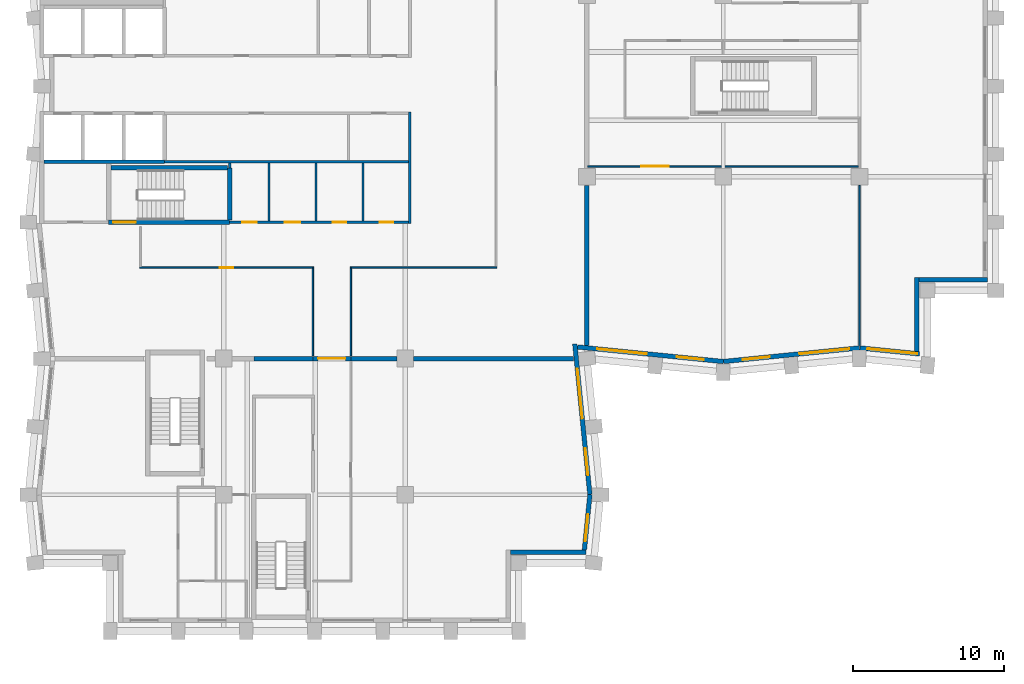
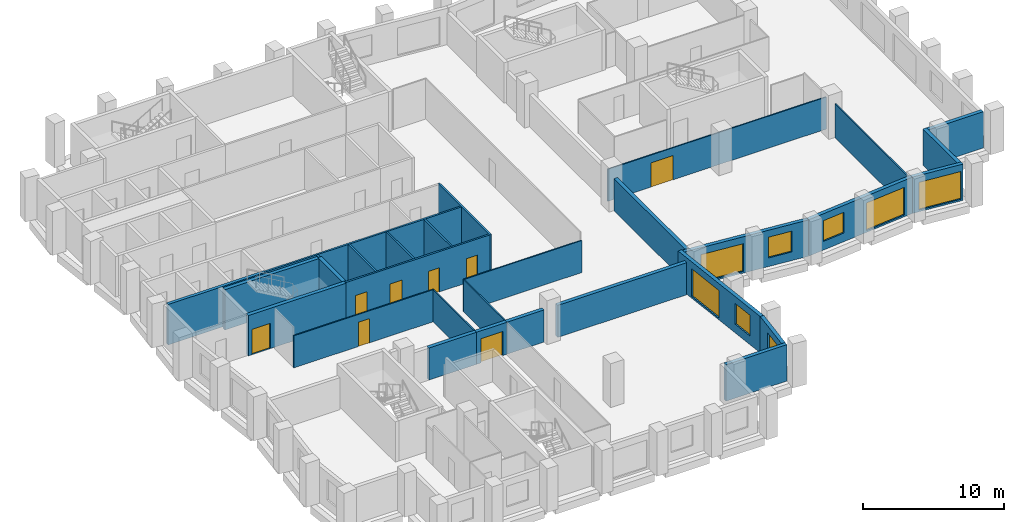
# One storey, part 4 of 10: 30 walls, 8 doors, 8 windows, 16 openings.
"""IFC4 building model written with IfcOpenShell, lengths in metres."""

from ifc_helpers import new_model, si_unit, direction, frame, frame_2d, origin, place, context, subcontext, project, spatial, rectangle, extrude, material, layer, layer_set, type_object, element, fill, save


model = new_model("IFC4")

# Units and contexts
model_context = context("Model", 3, precision=1e-05, world=origin(), true_north=direction((0.0, 1.0)))
body_context = subcontext(model_context, "Body", "Model", "MODEL_VIEW")
ifc_project = project(units=[si_unit("LENGTHUNIT", "METRE"), si_unit("AREAUNIT", "SQUARE_METRE"), si_unit("VOLUMEUNIT", "CUBIC_METRE"), si_unit("PLANEANGLEUNIT", "RADIAN"), si_unit("MASSUNIT", "GRAM", prefix="KILO")], contexts=[model_context])

# Site, building, storey
site_placement = place(None, origin())
site = spatial("IfcSite", under=ifc_project, at=site_placement, CompositionType="ELEMENT")
building_placement = place(site_placement, origin())
building = spatial("IfcBuilding", under=site, at=building_placement, Name="Brondeck Convention Tower", CompositionType="ELEMENT")
storey_placement = place(building_placement, frame((0.0, 0.0, 177.60009765625)))
storey = spatial("IfcBuildingStorey", under=building, at=storey_placement, Name="L43", CompositionType="ELEMENT", Elevation=177.60009765625)

# Wall
ifc_material_1 = material(Name="Concrete compartment wall C30/37", Category="concrete")
ifc_layer_1 = layer(ifc_material_1, 0.300048828125)
ifc_layer_set_1 = layer_set([ifc_layer_1], Name="Compartment wall 300")
wall_type_1 = type_object("IfcWallType", Name="Compartment wall 300", PredefinedType="PARTITIONING", material=ifc_layer_set_1)
wall_1_placement = place(storey_placement, frame((14.0, 27.0, 0.0), z_axis=(0.0, 0.0, 1.0), x_axis=(1.0, 0.0, 0.0)))
element("IfcWall", 1, at=wall_1_placement, inside=storey, type_object=wall_type_1, Name="FLR-L43-W020", PredefinedType="PARTITIONING", context=body_context, shape_type="SweptSolid", body=[
    extrude(rectangle(XDim=3.89990234375, YDim=0.300048828125, at=frame_2d((1.949951171875, 0.0))), origin(), (0.0, 0.0, 1.0), 2.77978515625),
])

# Wall, opening, door
wall_2_placement = place(storey_placement, frame((20.39990234375, 27.0, 0.0), z_axis=(0.0, 0.0, 1.0), x_axis=(-1.0, 0.0, 0.0)))
wall_2 = element("IfcWall", 2, at=wall_2_placement, inside=storey, type_object=wall_type_1, Name="FLR-L43-W021", PredefinedType="PARTITIONING", context=body_context, shape_type="SweptSolid", body=[
    extrude(rectangle(XDim=2.5, YDim=0.300048828125, at=frame_2d((1.25, 0.0))), origin(), (0.0, 0.0, 1.0), 2.77978515625),
])
opening_1_placement = place(wall_2_placement, frame((0.35009765625, 0.0, 0.0)))
opening_1 = element("IfcOpeningElement", 3, at=opening_1_placement, cuts=wall_2, Name="Opening OF-I-013", PredefinedType="OPENING", context=body_context, shape_type="SweptSolid", body=[
    extrude(rectangle(XDim=1.800048828125, YDim=2.10009765625, at=frame_2d((0.89990234375, 1.050048828125))), frame((0.0, 0.159912109375, 0.0), z_axis=(0.0, -1.0, 0.0), x_axis=(1.0, 0.0, 0.0)), (0.0, 0.0, 1.0), 0.320068359375),
])
ifc_material_2 = material(Name="Steel fire door pair", Category="steel")
door_type_1 = type_object("IfcDoorType", Name="Fire door pair 1800", OperationType="DOUBLE_DOOR_SINGLE_SWING", PredefinedType="DOOR", material=ifc_material_2)
door_1_placement = place(opening_1_placement, origin())
door_1 = element("IfcDoor", 4, at=door_1_placement, inside=storey, type_object=door_type_1, Name="Door OF-I-013", OperationType="DOUBLE_DOOR_SINGLE_SWING", OverallHeight=2.10009765625, OverallWidth=1.800048828125, PredefinedType="DOOR", context=body_context, shape_type="SweptSolid", body=[
    extrude(rectangle(XDim=1.800048828125, YDim=2.10009765625, at=frame_2d((0.89990234375, 1.050048828125))), frame((0.0, 0.02490234375, 0.0), z_axis=(0.0, -1.0, 0.0), x_axis=(1.0, 0.0, 0.0)), (0.0, 0.0, 1.0), 0.050048828125),
])
fill(opening_1, door_1)

# Walls
wall_3_placement = place(storey_placement, frame((20.39990234375, 27.0, 0.0), z_axis=(0.0, 0.0, 1.0), x_axis=(1.0, 0.0, 0.0)))
element("IfcWall", 5, at=wall_3_placement, inside=storey, type_object=wall_type_1, Name="FLR-L43-W022", PredefinedType="PARTITIONING", context=body_context, shape_type="SweptSolid", body=[
    extrude(rectangle(XDim=3.045166015625, YDim=0.300048828125, at=frame_2d((1.5224609375, 0.0))), origin(), (0.0, 0.0, 1.0), 2.77978515625),
])
for number, where, z_axis, x_axis, name in (
    (6, (24.554931640625, 27.0, 0.0), (0.0, 0.0, 1.0), (1.0, 0.0, 0.0), "FLR-L43-W023"),
    (7, (36.0, 27.874267578125, 0.0), (0.0, 0.0, 1.0), (0.0, 1.0, 0.0), "FLR-L43-W026"),
):
    element("IfcWall", number, at=place(storey_placement, frame(where, z_axis=z_axis, x_axis=x_axis)), inside=storey, type_object=wall_type_1, Name=name, PredefinedType="PARTITIONING", context=body_context, shape_type="SweptSolid", body=[
        extrude(rectangle(XDim=10.57080078125, YDim=0.300048828125, at=frame_2d((5.285400390625, 0.0))), origin(), (0.0, 0.0, 1.0), 2.77978515625),
    ])

# Wall, openings, doors
ifc_material_3 = material(Name="Concrete C70/85", Category="concrete")
ifc_layer_2 = layer(ifc_material_3, 0.14990234375)
ifc_layer_set_2 = layer_set([ifc_layer_2], Name="Core beam-seat wall 150 Concrete C70/85")
wall_type_2 = type_object("IfcWallType", Name="Core beam-seat wall 150 Concrete C70/85", PredefinedType="SHEAR", material=ifc_layer_set_2)
wall_4_placement = place(storey_placement, frame((12.39990234375, 36.0, 0.0), z_axis=(0.0, 0.0, 1.0), x_axis=(1.0, 0.0, 0.0)))
wall_4 = element("IfcWall", 8, at=wall_4_placement, inside=storey, type_object=wall_type_2, Name="L43 core wall", PredefinedType="SHEAR", context=body_context, shape_type="SweptSolid", body=[
    extrude(rectangle(XDim=11.8251953125, YDim=0.14990234375, at=frame_2d((5.91259765625, 0.0))), origin(), (0.0, 0.0, 1.0), 3.5),
])
opening_2_placement = place(wall_4_placement, frame((0.824951171875, 0.0, 0.0)))
opening_2 = element("IfcOpeningElement", 9, at=opening_2_placement, cuts=wall_4, Name="Opening C24-03", PredefinedType="OPENING", context=body_context, shape_type="SweptSolid", body=[
    extrude(rectangle(XDim=0.949951171875, YDim=2.10009765625, at=frame_2d((0.47509765625, 1.050048828125))), frame((0.0, 0.0849609375, 0.0), z_axis=(0.0, -1.0, 0.0), x_axis=(1.0, 0.0, 0.0)), (0.0, 0.0, 1.0), 0.169921875),
])
opening_3_placement = place(wall_4_placement, frame((3.64990234375, 0.0, 0.0)))
opening_3 = element("IfcOpeningElement", 10, at=opening_3_placement, cuts=wall_4, Name="Opening C24-04", PredefinedType="OPENING", context=body_context, shape_type="SweptSolid", body=[
    extrude(rectangle(XDim=1.0, YDim=2.10009765625, at=frame_2d((0.5, 1.050048828125))), frame((0.0, 0.0849609375, 0.0), z_axis=(0.0, -1.0, 0.0), x_axis=(1.0, 0.0, 0.0)), (0.0, 0.0, 1.0), 0.169921875),
])
opening_4_placement = place(wall_4_placement, frame((6.800048828125, 0.0, 0.0)))
opening_4 = element("IfcOpeningElement", 11, at=opening_4_placement, cuts=wall_4, Name="Opening C24-05", PredefinedType="OPENING", context=body_context, shape_type="SweptSolid", body=[
    extrude(rectangle(XDim=0.89990234375, YDim=2.10009765625, at=frame_2d((0.449951171875, 1.050048828125))), frame((0.0, 0.0849609375, 0.0), z_axis=(0.0, -1.0, 0.0), x_axis=(1.0, 0.0, 0.0)), (0.0, 0.0, 1.0), 0.169921875),
])
opening_5_placement = place(wall_4_placement, frame((9.89990234375, 0.0, 0.0)))
opening_5 = element("IfcOpeningElement", 12, at=opening_5_placement, cuts=wall_4, Name="Opening C24-06", PredefinedType="OPENING", context=body_context, shape_type="SweptSolid", body=[
    extrude(rectangle(XDim=0.89990234375, YDim=2.10009765625, at=frame_2d((0.449951171875, 1.050048828125))), frame((0.0, 0.0849609375, 0.0), z_axis=(0.0, -1.0, 0.0), x_axis=(1.0, 0.0, 0.0)), (0.0, 0.0, 1.0), 0.169921875),
])
ifc_material_4 = material(Name="Steel fire door", Category="steel")
door_type_2 = type_object("IfcDoorType", Name="Room door 1000x2100 EI 60", OperationType="NOTDEFINED", PredefinedType="DOOR", material=ifc_material_4)
door_2_placement = place(opening_3_placement, origin())
door_2 = element("IfcDoor", 13, at=door_2_placement, inside=storey, type_object=door_type_2, Name="L43 Room door FR-2", OperationType="SINGLE_SWING_LEFT", OverallHeight=2.10009765625, OverallWidth=1.0, PredefinedType="DOOR", context=body_context, shape_type="SweptSolid", body=[
    extrude(rectangle(XDim=1.0, YDim=2.10009765625, at=frame_2d((0.5, 1.050048828125))), frame((0.0, 0.02490234375, 0.0), z_axis=(0.0, -1.0, 0.0), x_axis=(1.0, 0.0, 0.0)), (0.0, 0.0, 1.0), 0.050048828125),
])
fill(opening_3, door_2)
door_type_3 = type_object("IfcDoorType", Name="Room door 900x2100 EI 60", OperationType="NOTDEFINED", PredefinedType="DOOR", material=ifc_material_4)
door_3_placement = place(opening_4_placement, origin())
door_3 = element("IfcDoor", 14, at=door_3_placement, inside=storey, type_object=door_type_3, Name="L43 Room door FR-3", OperationType="SINGLE_SWING_RIGHT", OverallHeight=2.10009765625, OverallWidth=0.89990234375, PredefinedType="DOOR", context=body_context, shape_type="SweptSolid", body=[
    extrude(rectangle(XDim=0.89990234375, YDim=2.10009765625, at=frame_2d((0.449951171875, 1.050048828125))), frame((0.0, 0.02490234375, 0.0), z_axis=(0.0, -1.0, 0.0), x_axis=(1.0, 0.0, 0.0)), (0.0, 0.0, 1.0), 0.050048828125),
])
fill(opening_4, door_3)
door_4_placement = place(opening_5_placement, origin())
door_4 = element("IfcDoor", 15, at=door_4_placement, inside=storey, type_object=door_type_3, Name="L43 Room door FR-4", OperationType="SINGLE_SWING_LEFT", OverallHeight=2.10009765625, OverallWidth=0.89990234375, PredefinedType="DOOR", context=body_context, shape_type="SweptSolid", body=[
    extrude(rectangle(XDim=0.89990234375, YDim=2.10009765625, at=frame_2d((0.449951171875, 1.050048828125))), frame((0.0, 0.02490234375, 0.0), z_axis=(0.0, -1.0, 0.0), x_axis=(1.0, 0.0, 0.0)), (0.0, 0.0, 1.0), 0.050048828125),
])
fill(opening_5, door_4)
door_type_4 = type_object("IfcDoorType", Name="Room door 950x2100 EI 60", OperationType="NOTDEFINED", PredefinedType="DOOR", material=ifc_material_4)
door_5_placement = place(opening_2_placement, origin())
door_5 = element("IfcDoor", 16, at=door_5_placement, inside=storey, type_object=door_type_4, Name="L43 Room door FR-1", OperationType="SINGLE_SWING_RIGHT", OverallHeight=2.10009765625, OverallWidth=0.949951171875, PredefinedType="DOOR", context=body_context, shape_type="SweptSolid", body=[
    extrude(rectangle(XDim=0.949951171875, YDim=2.10009765625, at=frame_2d((0.47509765625, 1.050048828125))), frame((0.0, 0.02490234375, 0.0), z_axis=(0.0, -1.0, 0.0), x_axis=(1.0, 0.0, 0.0)), (0.0, 0.0, 1.0), 0.050048828125),
])
fill(opening_2, door_5)

# Walls
ifc_material_5 = material(Name="Fire-rated gypsum board partition")
ifc_layer_3 = layer(ifc_material_5, 0.14990234375)
ifc_layer_set_3 = layer_set([ifc_layer_3], Name="Core partition 150 EI 60")
wall_type_3 = type_object("IfcWallType", Name="Core partition 150 EI 60", PredefinedType="PARTITIONING", material=ifc_layer_set_3)
wall_5_placement = place(storey_placement, frame((8.10009765625, 40.0, 0.0), z_axis=(0.0, 0.0, 1.0), x_axis=(1.0, 0.0, 0.0)))
element("IfcWall", 17, at=wall_5_placement, inside=storey, type_object=wall_type_3, Name="L43 core wall", PredefinedType="PARTITIONING", context=body_context, shape_type="SweptSolid", body=[
    extrude(rectangle(XDim=16.125, YDim=0.14990234375, at=frame_2d((8.0625, 0.0))), origin(), (0.0, 0.0, 1.0), 3.5),
])
wall_6_placement = place(storey_placement, frame((12.39990234375, 39.60009765625, 0.0), z_axis=(0.0, 0.0, 1.0), x_axis=(0.0, 1.0, 0.0)))
element("IfcWall", 18, at=wall_6_placement, inside=storey, type_object=wall_type_3, Name="L43 core wall", PredefinedType="PARTITIONING", context=body_context, shape_type="SweptSolid", body=[
    extrude(rectangle(XDim=0.324951171875, YDim=0.14990234375, at=frame_2d((0.16259765625, 0.0))), origin(), (0.0, 0.0, 1.0), 3.5),
])
for number, where, z_axis, x_axis, name in (
    (19, (15.0, 36.074951171875, 0.0), (0.0, 0.0, 1.0), (0.0, 1.0, 0.0), "L43 core wall"),
    (20, (18.10009765625, 36.074951171875, 0.0), (0.0, 0.0, 1.0), (0.0, 1.0, 0.0), "L43 core wall"),
    (21, (21.199951171875, 36.074951171875, 0.0), (0.0, 0.0, 1.0), (0.0, 1.0, 0.0), "L43 core wall"),
):
    element("IfcWall", number, at=place(storey_placement, frame(where, z_axis=z_axis, x_axis=x_axis)), inside=storey, type_object=wall_type_3, Name=name, PredefinedType="PARTITIONING", context=body_context, shape_type="SweptSolid", body=[
        extrude(rectangle(XDim=3.85009765625, YDim=0.14990234375, at=frame_2d((1.925048828125, 0.0))), origin(), (0.0, 0.0, 1.0), 3.5),
    ])
wall_7_placement = place(storey_placement, frame((24.300048828125, 35.925048828125, 0.0), z_axis=(0.0, 0.0, 1.0), x_axis=(0.0, 1.0, 0.0)))
element("IfcWall", 22, at=wall_7_placement, inside=storey, type_object=wall_type_3, Name="L43 core wall", PredefinedType="PARTITIONING", context=body_context, shape_type="SweptSolid", body=[
    extrude(rectangle(XDim=7.349853515625, YDim=0.14990234375, at=frame_2d((3.6748046875, 0.0))), origin(), (0.0, 0.0, 1.0), 3.5),
])
ifc_material_6 = material(Name="Precast concrete C50/60 bronze finish", Category="concrete")
ifc_layer_4 = layer(ifc_material_6, 0.070068359375, Name="Bronze precast facing")
ifc_material_7 = material(Name="Mineral wool")
ifc_layer_5 = layer(ifc_material_7, 0.159912109375, Name="Insulation")
ifc_material_8 = material(Name="Concrete C35/45", Category="concrete")
ifc_layer_6 = layer(ifc_material_8, 0.070068359375, Name="Backing")
ifc_layer_set_4 = layer_set([ifc_layer_4, ifc_layer_5, ifc_layer_6], Name="External infill wall, precast concrete C50/60 bronze facing")
wall_type_4 = type_object("IfcWallType", Name="External infill wall, precast concrete C50/60 bronze facing", PredefinedType="SOLIDWALL", material=ifc_layer_set_4)
wall_8_placement = place(storey_placement, frame((35.952392578125, 14.199951171875, 0.0), z_axis=(0.0, 0.0, 1.0), x_axis=(-1.0, 0.0, 0.0)))
element("IfcWall", 23, at=wall_8_placement, inside=storey, type_object=wall_type_4, Name="ENV-EW-L43-P1-NC-SEB9-02", PredefinedType="SOLIDWALL", context=body_context, shape_type="SweptSolid", body=[
    extrude(rectangle(XDim=5.00244140625, YDim=0.300048828125, at=frame_2d((2.501220703125, 0.0))), origin(), (0.0, 0.0, 1.0), 3.14990234375),
])

# Wall, opening, window
wall_9_placement = place(storey_placement, frame((36.197998046875, 18.014892578125, 0.0), z_axis=(0.0, 0.0, 1.0), x_axis=(-0.099529980022, -0.99503456376, 0.0)))
wall_9 = element("IfcWall", 24, at=wall_9_placement, inside=storey, type_object=wall_type_4, Name="ENV-EW-L43-P1-B-E-02", PredefinedType="SOLIDWALL", context=body_context, shape_type="SweptSolid", body=[
    extrude(rectangle(XDim=3.681884765625, YDim=0.300048828125, at=frame_2d((1.8408203125, 0.0))), origin(), (0.0, 0.0, 1.0), 3.14990234375),
])
opening_6_placement = place(wall_9_placement, frame((1.30615234375, 0.0, 0.75)))
opening_6 = element("IfcOpeningElement", 25, at=opening_6_placement, cuts=wall_9, Name="Opening W10", PredefinedType="OPENING", context=body_context, shape_type="SweptSolid", body=[
    extrude(rectangle(XDim=1.800048828125, YDim=1.800048828125, at=frame_2d((0.89990234375, 0.89990234375))), frame((0.0, 0.159912109375, 0.0), z_axis=(0.0, -1.0, 0.0), x_axis=(1.0, 0.0, 0.0)), (0.0, 0.0, 1.0), 0.320068359375),
])
ifc_material_9 = material(Name="Bronze tinted double glazing", Category="glass")
window_type_1 = type_object("IfcWindowType", Name="Punched window, bronze tinted", PartitioningType="SINGLE_PANEL", PredefinedType="WINDOW", material=ifc_material_9)
window_1_placement = place(opening_6_placement, origin())
window_1 = element("IfcWindow", 26, at=window_1_placement, inside=storey, type_object=window_type_1, Name="ENV-WN-L43-P1-B-E-02", OverallHeight=1.800048828125, OverallWidth=1.800048828125, PartitioningType="SINGLE_PANEL", PredefinedType="WINDOW", context=body_context, shape_type="SweptSolid", body=[
    extrude(rectangle(XDim=1.800048828125, YDim=1.800048828125, at=frame_2d((0.89990234375, 0.89990234375))), frame((0.0, 0.030029296875, 0.0), z_axis=(0.0, -1.0, 0.0), x_axis=(1.0, 0.0, 0.0)), (0.0, 0.0, 1.0), 0.06005859375),
])
fill(opening_6, window_1)

# Wall, openings, windows
wall_10_placement = place(storey_placement, frame((35.2001953125, 27.964111328125, 0.0), z_axis=(0.0, 0.0, 1.0), x_axis=(0.099501297882, -0.995037432321, 0.0)))
wall_10 = element("IfcWall", 27, at=wall_10_placement, inside=storey, type_object=wall_type_4, Name="ENV-EW-L43-P1-B-E-01", PredefinedType="SOLIDWALL", context=body_context, shape_type="SweptSolid", body=[
    extrude(rectangle(XDim=9.98388671875, YDim=0.300048828125, at=frame_2d((4.991943359375, 0.0))), origin(), (0.0, 0.0, 1.0), 3.14990234375),
])
opening_7_placement = place(wall_10_placement, frame((1.650146484375, 0.0, 0.14990234375)))
opening_7 = element("IfcOpeningElement", 28, at=opening_7_placement, cuts=wall_10, Name="Opening W9", PredefinedType="OPENING", context=body_context, shape_type="SweptSolid", body=[
    extrude(rectangle(XDim=3.300048828125, YDim=2.39990234375, at=frame_2d((1.64990234375, 1.199951171875))), frame((0.0, 0.159912109375, 0.0), z_axis=(0.0, -1.0, 0.0), x_axis=(1.0, 0.0, 0.0)), (0.0, 0.0, 1.0), 0.320068359375),
])
opening_8_placement = place(wall_10_placement, frame((6.922607421875, 0.0, 0.75)))
opening_8 = element("IfcOpeningElement", 29, at=opening_8_placement, cuts=wall_10, Name="Opening W10", PredefinedType="OPENING", context=body_context, shape_type="SweptSolid", body=[
    extrude(rectangle(XDim=1.800048828125, YDim=1.800048828125, at=frame_2d((0.89990234375, 0.89990234375))), frame((0.0, 0.159912109375, 0.0), z_axis=(0.0, -1.0, 0.0), x_axis=(1.0, 0.0, 0.0)), (0.0, 0.0, 1.0), 0.320068359375),
])
window_type_2 = type_object("IfcWindowType", Name="Glazed flute window, bronze tinted", PartitioningType="SINGLE_PANEL", PredefinedType="WINDOW", material=ifc_material_9)
window_2_placement = place(opening_7_placement, origin())
window_2 = element("IfcWindow", 30, at=window_2_placement, inside=storey, type_object=window_type_2, Name="ENV-WN-L43-P1-B-E-00", OverallHeight=2.39990234375, OverallWidth=3.300048828125, PartitioningType="SINGLE_PANEL", PredefinedType="WINDOW", context=body_context, shape_type="SweptSolid", body=[
    extrude(rectangle(XDim=3.300048828125, YDim=2.39990234375, at=frame_2d((1.64990234375, 1.199951171875))), frame((0.0, 0.030029296875, 0.0), z_axis=(0.0, -1.0, 0.0), x_axis=(1.0, 0.0, 0.0)), (0.0, 0.0, 1.0), 0.06005859375),
])
fill(opening_7, window_2)
window_3_placement = place(opening_8_placement, origin())
window_3 = element("IfcWindow", 31, at=window_3_placement, inside=storey, type_object=window_type_1, Name="ENV-WN-L43-P1-B-E-01", OverallHeight=1.800048828125, OverallWidth=1.800048828125, PartitioningType="SINGLE_PANEL", PredefinedType="WINDOW", context=body_context, shape_type="SweptSolid", body=[
    extrude(rectangle(XDim=1.800048828125, YDim=1.800048828125, at=frame_2d((0.89990234375, 0.89990234375))), frame((0.0, 0.030029296875, 0.0), z_axis=(0.0, -1.0, 0.0), x_axis=(1.0, 0.0, 0.0)), (0.0, 0.0, 1.0), 0.06005859375),
])
fill(opening_8, window_3)

wall_11_placement = place(storey_placement, frame((45.014892578125, 26.802001953125, 0.0), z_axis=(0.0, 0.0, 1.0), x_axis=(-0.995037689759, 0.099498723402, 0.0)))
wall_11 = element("IfcWall", 32, at=wall_11_placement, inside=storey, type_object=wall_type_4, Name="ENV-EW-L43-P1-A-S-00", PredefinedType="SOLIDWALL", context=body_context, shape_type="SweptSolid", body=[
    extrude(rectangle(XDim=9.677490234375, YDim=0.300048828125, at=frame_2d((4.8388671875, 0.0))), origin(), (0.0, 0.0, 1.0), 3.14990234375),
])
opening_9_placement = place(wall_11_placement, frame((1.30615234375, 0.0, 0.75)))
opening_9 = element("IfcOpeningElement", 33, at=opening_9_placement, cuts=wall_11, Name="Opening W10", PredefinedType="OPENING", context=body_context, shape_type="SweptSolid", body=[
    extrude(rectangle(XDim=1.800048828125, YDim=1.800048828125, at=frame_2d((0.89990234375, 0.89990234375))), frame((0.0, 0.159912109375, 0.0), z_axis=(0.0, -1.0, 0.0), x_axis=(1.0, 0.0, 0.0)), (0.0, 0.0, 1.0), 0.320068359375),
])
opening_10_placement = place(wall_11_placement, frame((5.07861328125, 0.0, 0.14990234375)))
opening_10 = element("IfcOpeningElement", 34, at=opening_10_placement, cuts=wall_11, Name="Opening W9", PredefinedType="OPENING", context=body_context, shape_type="SweptSolid", body=[
    extrude(rectangle(XDim=3.300048828125, YDim=2.39990234375, at=frame_2d((1.64990234375, 1.199951171875))), frame((0.0, 0.159912109375, 0.0), z_axis=(0.0, -1.0, 0.0), x_axis=(1.0, 0.0, 0.0)), (0.0, 0.0, 1.0), 0.320068359375),
])
window_4_placement = place(opening_10_placement, origin())
window_4 = element("IfcWindow", 35, at=window_4_placement, inside=storey, type_object=window_type_2, Name="ENV-WN-L43-P1-A-S-00", OverallHeight=2.39990234375, OverallWidth=3.300048828125, PartitioningType="SINGLE_PANEL", PredefinedType="WINDOW", context=body_context, shape_type="SweptSolid", body=[
    extrude(rectangle(XDim=3.300048828125, YDim=2.39990234375, at=frame_2d((1.64990234375, 1.199951171875))), frame((0.0, 0.030029296875, 0.0), z_axis=(0.0, -1.0, 0.0), x_axis=(1.0, 0.0, 0.0)), (0.0, 0.0, 1.0), 0.06005859375),
])
fill(opening_10, window_4)
window_5_placement = place(opening_9_placement, origin())
window_5 = element("IfcWindow", 36, at=window_5_placement, inside=storey, type_object=window_type_1, Name="ENV-WN-L43-P1-A-S-01", OverallHeight=1.800048828125, OverallWidth=1.800048828125, PartitioningType="SINGLE_PANEL", PredefinedType="WINDOW", context=body_context, shape_type="SweptSolid", body=[
    extrude(rectangle(XDim=1.800048828125, YDim=1.800048828125, at=frame_2d((0.89990234375, 0.89990234375))), frame((0.0, 0.030029296875, 0.0), z_axis=(0.0, -1.0, 0.0), x_axis=(1.0, 0.0, 0.0)), (0.0, 0.0, 1.0), 0.06005859375),
])
fill(opening_9, window_5)

wall_12_placement = place(storey_placement, frame((54.014892578125, 27.705078125, 0.0), z_axis=(0.0, 0.0, 1.0), x_axis=(-0.995035316196, -0.099522457379, 0.0)))
wall_12 = element("IfcWall", 37, at=wall_12_placement, inside=storey, type_object=wall_type_4, Name="ENV-EW-L43-P1-A-S-02", PredefinedType="SOLIDWALL", context=body_context, shape_type="SweptSolid", body=[
    extrude(rectangle(XDim=9.030029296875, YDim=0.300048828125, at=frame_2d((4.51513671875, 0.0))), origin(), (0.0, 0.0, 1.0), 3.14990234375),
])
opening_11_placement = place(wall_12_placement, frame((0.6962890625, 0.0, 0.14990234375)))
opening_11 = element("IfcOpeningElement", 38, at=opening_11_placement, cuts=wall_12, Name="Opening W9", PredefinedType="OPENING", context=body_context, shape_type="SweptSolid", body=[
    extrude(rectangle(XDim=3.300048828125, YDim=2.39990234375, at=frame_2d((1.64990234375, 1.199951171875))), frame((0.0, 0.159912109375, 0.0), z_axis=(0.0, -1.0, 0.0), x_axis=(1.0, 0.0, 0.0)), (0.0, 0.0, 1.0), 0.320068359375),
])
opening_12_placement = place(wall_12_placement, frame((5.968505859375, 0.0, 0.75)))
opening_12 = element("IfcOpeningElement", 39, at=opening_12_placement, cuts=wall_12, Name="Opening W10", PredefinedType="OPENING", context=body_context, shape_type="SweptSolid", body=[
    extrude(rectangle(XDim=1.800048828125, YDim=1.800048828125, at=frame_2d((0.89990234375, 0.89990234375))), frame((0.0, 0.159912109375, 0.0), z_axis=(0.0, -1.0, 0.0), x_axis=(1.0, 0.0, 0.0)), (0.0, 0.0, 1.0), 0.320068359375),
])
window_6_placement = place(opening_11_placement, origin())
window_6 = element("IfcWindow", 40, at=window_6_placement, inside=storey, type_object=window_type_2, Name="ENV-WN-L43-P1-A-S-03", OverallHeight=2.39990234375, OverallWidth=3.300048828125, PartitioningType="SINGLE_PANEL", PredefinedType="WINDOW", context=body_context, shape_type="SweptSolid", body=[
    extrude(rectangle(XDim=3.300048828125, YDim=2.39990234375, at=frame_2d((1.64990234375, 1.199951171875))), frame((0.0, 0.030029296875, 0.0), z_axis=(0.0, -1.0, 0.0), x_axis=(1.0, 0.0, 0.0)), (0.0, 0.0, 1.0), 0.06005859375),
])
fill(opening_11, window_6)
window_7_placement = place(opening_12_placement, origin())
window_7 = element("IfcWindow", 41, at=window_7_placement, inside=storey, type_object=window_type_1, Name="ENV-WN-L43-P1-A-S-02", OverallHeight=1.800048828125, OverallWidth=1.800048828125, PartitioningType="SINGLE_PANEL", PredefinedType="WINDOW", context=body_context, shape_type="SweptSolid", body=[
    extrude(rectangle(XDim=1.800048828125, YDim=1.800048828125, at=frame_2d((0.89990234375, 0.89990234375))), frame((0.0, 0.030029296875, 0.0), z_axis=(0.0, -1.0, 0.0), x_axis=(1.0, 0.0, 0.0)), (0.0, 0.0, 1.0), 0.06005859375),
])
fill(opening_12, window_7)

# Wall, opening, window
wall_13_placement = place(storey_placement, frame((57.96484375, 27.306884765625, 0.0), z_axis=(0.0, 0.0, 1.0), x_axis=(-0.99503596767, 0.099515943658, 0.0)))
wall_13 = element("IfcWall", 42, at=wall_13_placement, inside=storey, type_object=wall_type_4, Name="ENV-EW-L43-P1-A-S-04", PredefinedType="SOLIDWALL", context=body_context, shape_type="SweptSolid", body=[
    extrude(rectangle(XDim=3.95458984375, YDim=0.300048828125, at=frame_2d((1.977294921875, 0.0))), origin(), (0.0, 0.0, 1.0), 3.14990234375),
])
opening_13_placement = place(wall_13_placement, frame((0.14990234375, 0.0, 0.14990234375)))
opening_13 = element("IfcOpeningElement", 43, at=opening_13_placement, cuts=wall_13, Name="Opening W9", PredefinedType="OPENING", context=body_context, shape_type="SweptSolid", body=[
    extrude(rectangle(XDim=3.300048828125, YDim=2.39990234375, at=frame_2d((1.64990234375, 1.199951171875))), frame((0.0, 0.159912109375, 0.0), z_axis=(0.0, -1.0, 0.0), x_axis=(1.0, 0.0, 0.0)), (0.0, 0.0, 1.0), 0.320068359375),
])
window_8_placement = place(opening_13_placement, origin())
window_8 = element("IfcWindow", 44, at=window_8_placement, inside=storey, type_object=window_type_2, Name="ENV-WN-L43-P1-A-S-04", OverallHeight=2.39990234375, OverallWidth=3.300048828125, PartitioningType="SINGLE_PANEL", PredefinedType="WINDOW", context=body_context, shape_type="SweptSolid", body=[
    extrude(rectangle(XDim=3.300048828125, YDim=2.39990234375, at=frame_2d((1.64990234375, 1.199951171875))), frame((0.0, 0.030029296875, 0.0), z_axis=(0.0, -1.0, 0.0), x_axis=(1.0, 0.0, 0.0)), (0.0, 0.0, 1.0), 0.06005859375),
])
fill(opening_13, window_8)

# Walls
wall_14_placement = place(storey_placement, frame((57.800048828125, 32.35009765625, 0.0), z_axis=(0.0, 0.0, 1.0), x_axis=(0.0, -1.0, 0.0)))
element("IfcWall", 45, at=wall_14_placement, inside=storey, type_object=wall_type_4, Name="ENV-EW-L43-P1-NC-SEA63-01", PredefinedType="SOLIDWALL", context=body_context, shape_type="SweptSolid", body=[
    extrude(rectangle(XDim=4.87060546875, YDim=0.300048828125, at=frame_2d((2.435302734375, 0.0))), origin(), (0.0, 0.0, 1.0), 3.14990234375),
])
wall_15_placement = place(storey_placement, frame((62.449951171875, 32.199951171875, 0.0), z_axis=(0.0, 0.0, 1.0), x_axis=(-1.0, 0.0, 0.0)))
element("IfcWall", 46, at=wall_15_placement, inside=storey, type_object=wall_type_4, Name="ENV-EW-L43-P1-NC-SEA63-02", PredefinedType="SOLIDWALL", context=body_context, shape_type="SweptSolid", body=[
    extrude(rectangle(XDim=4.501953125, YDim=0.300048828125, at=frame_2d((2.2509765625, 0.0))), origin(), (0.0, 0.0, 1.0), 3.14990234375),
])
ifc_layer_7 = layer(ifc_material_3, 0.25)
ifc_layer_set_5 = layer_set([ifc_layer_7], Name="Lift shaft wall 250 Concrete C70/85")
wall_type_5 = type_object("IfcWallType", Name="Lift shaft wall 250 Concrete C70/85", PredefinedType="SHEAR", material=ifc_layer_set_5)
wall_16_placement = place(storey_placement, frame((0.14990234375, 40.0, 0.0), z_axis=(0.0, 0.0, 1.0), x_axis=(1.0, 0.0, 0.0)))
element("IfcWall", 47, at=wall_16_placement, inside=storey, type_object=wall_type_5, Name="L43 core wall", PredefinedType="SHEAR", context=body_context, shape_type="SweptSolid", body=[
    extrude(rectangle(XDim=7.9501953125, YDim=0.25, at=frame_2d((3.97509765625, 0.0))), origin(), (0.0, 0.0, 1.0), 3.5),
])
ifc_material_10 = material(Name="Gypsum board partition on steel studs", Category="steel")
ifc_layer_8 = layer(ifc_material_10, 0.10009765625)
ifc_layer_set_6 = layer_set([ifc_layer_8], Name="Room partition 100")
wall_type_6 = type_object("IfcWallType", Name="Room partition 100", PredefinedType="PARTITIONING", material=ifc_layer_set_6)
wall_17_placement = place(storey_placement, frame((17.89990234375, 27.169921875, 0.0), z_axis=(0.0, 0.0, 1.0), x_axis=(0.0, 1.0, 0.0)))
element("IfcWall", 48, at=wall_17_placement, inside=storey, type_object=wall_type_6, Name="FLR-L43-W024", PredefinedType="PARTITIONING", context=body_context, shape_type="SweptSolid", body=[
    extrude(rectangle(XDim=5.780029296875, YDim=0.10009765625, at=frame_2d((2.89013671875, 0.0))), origin(), (0.0, 0.0, 1.0), 2.77978515625),
])
wall_18_placement = place(storey_placement, frame((54.0, 27.874267578125, 0.0), z_axis=(0.0, 0.0, 1.0), x_axis=(0.0, 1.0, 0.0)))
element("IfcWall", 49, at=wall_18_placement, inside=storey, type_object=wall_type_6, Name="FLR-L43-W025", PredefinedType="PARTITIONING", context=body_context, shape_type="SweptSolid", body=[
    extrude(rectangle(XDim=10.57080078125, YDim=0.10009765625, at=frame_2d((5.285400390625, 0.0))), origin(), (0.0, 0.0, 1.0), 2.929931640625),
])
wall_19_placement = place(storey_placement, frame((20.39990234375, 32.949951171875, 0.0), z_axis=(0.0, 0.0, 1.0), x_axis=(0.0, -1.0, 0.0)))
element("IfcWall", 50, at=wall_19_placement, inside=storey, type_object=wall_type_6, Name="FLR-L43-W027", PredefinedType="PARTITIONING", context=body_context, shape_type="SweptSolid", body=[
    extrude(rectangle(XDim=5.780029296875, YDim=0.10009765625, at=frame_2d((2.89013671875, 0.0))), origin(), (0.0, 0.0, 1.0), 2.77978515625),
])

# Wall, opening, door
wall_20_placement = place(storey_placement, frame((17.949951171875, 33.0, 0.0), z_axis=(0.0, 0.0, 1.0), x_axis=(-1.0, 0.0, 0.0)))
wall_20 = element("IfcWall", 51, at=wall_20_placement, inside=storey, type_object=wall_type_6, Name="FLR-L43-W028", PredefinedType="PARTITIONING", context=body_context, shape_type="SweptSolid", body=[
    extrude(rectangle(XDim=11.5, YDim=0.10009765625, at=frame_2d((5.75, 0.0))), origin(), (0.0, 0.0, 1.0), 2.77978515625),
])
opening_14_placement = place(wall_20_placement, frame((5.300048828125, 0.0, 0.0)))
opening_14 = element("IfcOpeningElement", 52, at=opening_14_placement, cuts=wall_20, Name="Opening OF-I-011", PredefinedType="OPENING", context=body_context, shape_type="SweptSolid", body=[
    extrude(rectangle(XDim=0.89990234375, YDim=2.10009765625, at=frame_2d((0.449951171875, 1.050048828125))), frame((0.0, 0.06005859375, 0.0), z_axis=(0.0, -1.0, 0.0), x_axis=(1.0, 0.0, 0.0)), (0.0, 0.0, 1.0), 0.1201171875),
])
ifc_material_11 = material(Name="Solid timber door leaf", Category="wood")
door_type_5 = type_object("IfcDoorType", Name="Single door 900", OperationType="NOTDEFINED", PredefinedType="DOOR", material=ifc_material_11)
door_6_placement = place(opening_14_placement, origin())
door_6 = element("IfcDoor", 53, at=door_6_placement, inside=storey, type_object=door_type_5, Name="Door OF-I-011", OperationType="SINGLE_SWING_RIGHT", OverallHeight=2.10009765625, OverallWidth=0.89990234375, PredefinedType="DOOR", context=body_context, shape_type="SweptSolid", body=[
    extrude(rectangle(XDim=0.89990234375, YDim=2.10009765625, at=frame_2d((0.449951171875, 1.050048828125))), frame((0.0, 0.02490234375, 0.0), z_axis=(0.0, -1.0, 0.0), x_axis=(1.0, 0.0, 0.0)), (0.0, 0.0, 1.0), 0.050048828125),
])
fill(opening_14, door_6)

# Wall
wall_21_placement = place(storey_placement, frame((30.050048828125, 33.0, 0.0), z_axis=(0.0, 0.0, 1.0), x_axis=(-1.0, 0.0, 0.0)))
element("IfcWall", 54, at=wall_21_placement, inside=storey, type_object=wall_type_6, Name="FLR-L43-W029", PredefinedType="PARTITIONING", context=body_context, shape_type="SweptSolid", body=[
    extrude(rectangle(XDim=9.699951171875, YDim=0.10009765625, at=frame_2d((4.85009765625, 0.0))), origin(), (0.0, 0.0, 1.0), 2.77978515625),
])

# Wall, opening, door
wall_22_placement = place(storey_placement, frame((53.949951171875, 39.699951171875, 0.0), z_axis=(0.0, 0.0, 1.0), x_axis=(-1.0, 0.0, 0.0)))
wall_22 = element("IfcWall", 55, at=wall_22_placement, inside=storey, type_object=wall_type_6, Name="FLR-L43-W031", PredefinedType="PARTITIONING", context=body_context, shape_type="SweptSolid", body=[
    extrude(rectangle(XDim=17.89990234375, YDim=0.10009765625, at=frame_2d((8.949951171875, 0.0))), origin(), (0.0, 0.0, 1.0), 2.77978515625),
])
opening_15_placement = place(wall_22_placement, frame((12.550048828125, 0.0, 0.0)))
opening_15 = element("IfcOpeningElement", 56, at=opening_15_placement, cuts=wall_22, Name="Opening OF-I-006", PredefinedType="OPENING", context=body_context, shape_type="SweptSolid", body=[
    extrude(rectangle(XDim=1.800048828125, YDim=2.10009765625, at=frame_2d((0.89990234375, 1.050048828125))), frame((0.0, 0.06005859375, 0.0), z_axis=(0.0, -1.0, 0.0), x_axis=(1.0, 0.0, 0.0)), (0.0, 0.0, 1.0), 0.1201171875),
])
ifc_material_12 = material(Name="Glazed timber double door", Category="wood")
door_type_6 = type_object("IfcDoorType", Name="Double door 1800", OperationType="DOUBLE_DOOR_SINGLE_SWING", PredefinedType="DOOR", material=ifc_material_12)
door_7_placement = place(opening_15_placement, origin())
door_7 = element("IfcDoor", 57, at=door_7_placement, inside=storey, type_object=door_type_6, Name="Door OF-I-006", OperationType="DOUBLE_DOOR_SINGLE_SWING", OverallHeight=2.10009765625, OverallWidth=1.800048828125, PredefinedType="DOOR", context=body_context, shape_type="SweptSolid", body=[
    extrude(rectangle(XDim=1.800048828125, YDim=2.10009765625, at=frame_2d((0.89990234375, 1.050048828125))), frame((0.0, 0.02490234375, 0.0), z_axis=(0.0, -1.0, 0.0), x_axis=(1.0, 0.0, 0.0)), (0.0, 0.0, 1.0), 0.050048828125),
])
fill(opening_15, door_7)

ifc_layer_9 = layer(ifc_material_3, 0.300048828125)
ifc_layer_set_7 = layer_set([ifc_layer_9], Name="Stair enclosure wall 300 Concrete C70/85")
wall_type_7 = type_object("IfcWallType", Name="Stair enclosure wall 300 Concrete C70/85", PredefinedType="SHEAR", material=ifc_layer_set_7)
wall_23_placement = place(storey_placement, frame((4.39990234375, 36.0, 0.0), z_axis=(0.0, 0.0, 1.0), x_axis=(1.0, 0.0, 0.0)))
wall_23 = element("IfcWall", 58, at=wall_23_placement, inside=storey, type_object=wall_type_7, Name="L43 core wall", PredefinedType="SHEAR", context=body_context, shape_type="SweptSolid", body=[
    extrude(rectangle(XDim=8.0, YDim=0.300048828125, at=frame_2d((4.0, 0.0))), origin(), (0.0, 0.0, 1.0), 3.5),
])
opening_16_placement = place(wall_23_placement, frame((0.300048828125, 0.0, 0.0)))
opening_16 = element("IfcOpeningElement", 59, at=opening_16_placement, cuts=wall_23, Name="Opening C24-13", PredefinedType="OPENING", context=body_context, shape_type="SweptSolid", body=[
    extrude(rectangle(XDim=1.5, YDim=2.199951171875, at=frame_2d((0.75, 1.10009765625))), frame((0.0, 0.159912109375, 0.0), z_axis=(0.0, -1.0, 0.0), x_axis=(1.0, 0.0, 0.0)), (0.0, 0.0, 1.0), 0.320068359375),
])
door_type_7 = type_object("IfcDoorType", Name="Stair door 1500x2200 EI 90", OperationType="NOTDEFINED", PredefinedType="DOOR", material=ifc_material_4)
door_8_placement = place(opening_16_placement, origin())
door_8 = element("IfcDoor", 60, at=door_8_placement, inside=storey, type_object=door_type_7, Name="L43 Stair door ST-1", OperationType="SINGLE_SWING_RIGHT", OverallHeight=2.199951171875, OverallWidth=1.5, PredefinedType="DOOR", context=body_context, shape_type="SweptSolid", body=[
    extrude(rectangle(XDim=1.5, YDim=2.199951171875, at=frame_2d((0.75, 1.10009765625))), frame((0.0, 0.02490234375, 0.0), z_axis=(0.0, -1.0, 0.0), x_axis=(1.0, 0.0, 0.0)), (0.0, 0.0, 1.0), 0.050048828125),
])
fill(opening_16, door_8)

# Walls
wall_24_placement = place(storey_placement, frame((4.550048828125, 39.60009765625, 0.0), z_axis=(0.0, 0.0, 1.0), x_axis=(1.0, 0.0, 0.0)))
element("IfcWall", 61, at=wall_24_placement, inside=storey, type_object=wall_type_7, Name="L43 core wall", PredefinedType="SHEAR", context=body_context, shape_type="SweptSolid", body=[
    extrude(rectangle(XDim=7.699951171875, YDim=0.300048828125, at=frame_2d((3.85009765625, 0.0))), origin(), (0.0, 0.0, 1.0), 3.5),
])
wall_25_placement = place(storey_placement, frame((12.39990234375, 36.14990234375, 0.0), z_axis=(0.0, 0.0, 1.0), x_axis=(0.0, 1.0, 0.0)))
element("IfcWall", 62, at=wall_25_placement, inside=storey, type_object=wall_type_7, Name="L43 core wall", PredefinedType="SHEAR", context=body_context, shape_type="SweptSolid", body=[
    extrude(rectangle(XDim=3.4501953125, YDim=0.300048828125, at=frame_2d((1.72509765625, 0.0))), origin(), (0.0, 0.0, 1.0), 3.5),
])

save(model, "model.ifc")
